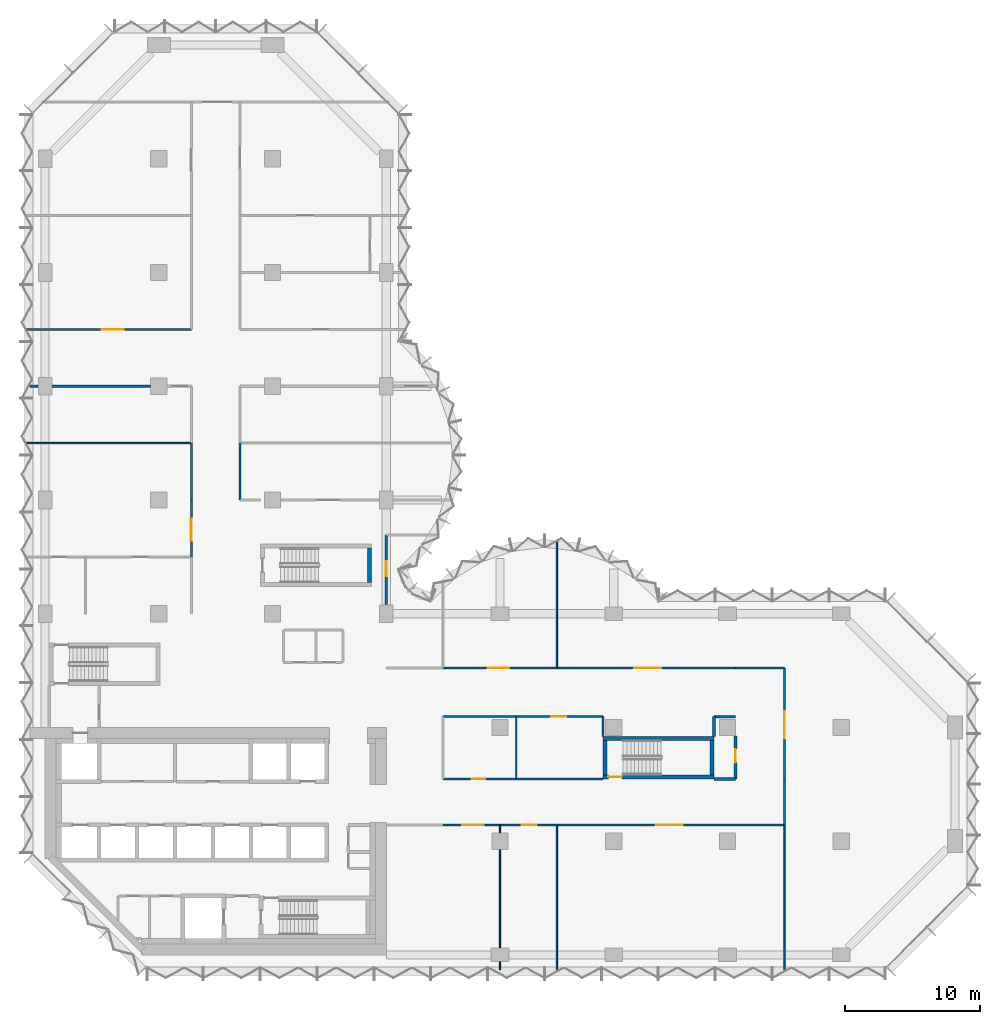
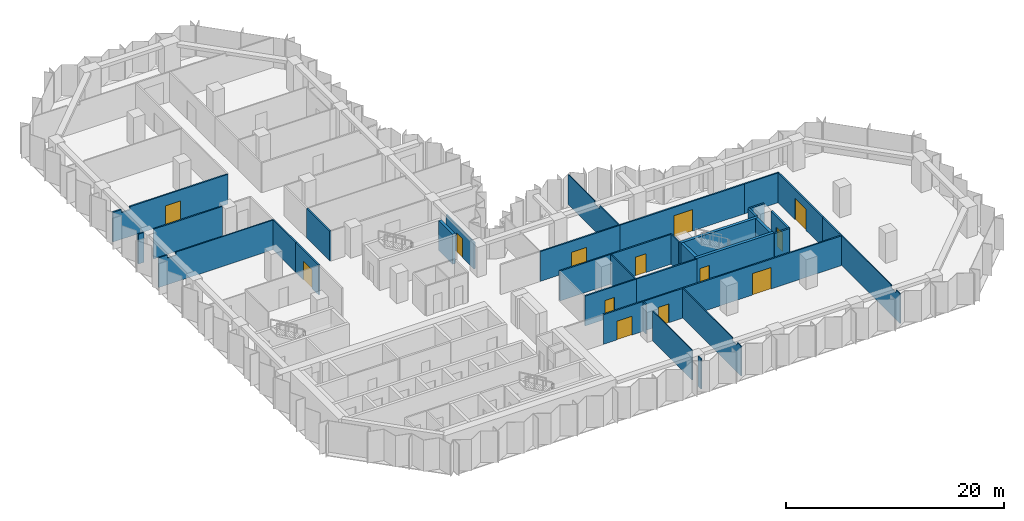
# One storey, part 9 of 13: 37 walls, 13 doors, 13 openings.
"""IFC4 building model written with IfcOpenShell, lengths in metres."""

from ifc_helpers import new_model, si_unit, direction, frame, frame_2d, origin, place, context, subcontext, project, spatial, polyline, rectangle, outline, extrude, material, layer, layer_set, type_object, element, fill, save


model = new_model("IFC4")

# Units and contexts
model_context = context("Model", 3, precision=1e-05, world=origin(), true_north=direction((0.0, 1.0)))
body_context = subcontext(model_context, "Body", "Model", "MODEL_VIEW")
ifc_project = project(units=[si_unit("LENGTHUNIT", "METRE"), si_unit("AREAUNIT", "SQUARE_METRE"), si_unit("VOLUMEUNIT", "CUBIC_METRE"), si_unit("PLANEANGLEUNIT", "RADIAN"), si_unit("MASSUNIT", "GRAM", prefix="KILO")], contexts=[model_context])

# Site, building, storey
site_placement = place(None, origin())
site = spatial("IfcSite", under=ifc_project, at=site_placement, CompositionType="ELEMENT")
building_placement = place(site_placement, origin())
building = spatial("IfcBuilding", under=site, at=building_placement, Name="Brevane Broadcast Tower", CompositionType="ELEMENT")
storey_placement = place(building_placement, frame((0.0, 0.0, 98.89990234375)))
storey = spatial("IfcBuildingStorey", under=building, at=storey_placement, Name="L23", CompositionType="ELEMENT", Elevation=98.89990234375)

# Wall
ifc_material_1 = material(Name="Concrete C60/75", Category="concrete")
ifc_layer_1 = layer(ifc_material_1, 0.300048828125)
ifc_layer_set_1 = layer_set([ifc_layer_1], Name="Core wall 300 mm C60/75")
wall_type_1 = type_object("IfcWallType", Name="Core wall 300 mm C60/75", PredefinedType="SHEAR", material=ifc_layer_set_1)
wall_1_placement = place(storey_placement, frame((23.949951171875, 27.5, 0.0), z_axis=(0.0, 0.0, 1.0), x_axis=(0.0, 1.0, 0.0)))
element("IfcWall", 1, at=wall_1_placement, inside=storey, type_object=wall_type_1, Name="L23 stair wall ST-3-E", PredefinedType="SHEAR", context=body_context, shape_type="SweptSolid", body=[
    extrude(rectangle(XDim=2.550048828125, YDim=0.300048828125, at=frame_2d((1.27490234375, 0.0))), origin(), (0.0, 0.0, 1.0), 3.35009765625),
])

# Wall, opening, door
wall_2_placement = place(storey_placement, frame((49.39990234375, 13.14990234375, 0.0), z_axis=(0.0, 0.0, 1.0), x_axis=(-1.0, 0.0, 0.0)))
wall_2 = element("IfcWall", 2, at=wall_2_placement, inside=storey, type_object=wall_type_1, Name="L23 stair wall ST-4-S", PredefinedType="SHEAR", context=body_context, shape_type="SweptSolid", body=[
    extrude(rectangle(XDim=8.199951171875, YDim=0.300048828125, at=frame_2d((4.10009765625, 0.0))), origin(), (0.0, 0.0, 1.0), 3.35009765625),
])
opening_1_placement = place(wall_2_placement, frame((6.800048828125, 0.0, 0.0)))
opening_1 = element("IfcOpeningElement", 3, at=opening_1_placement, cuts=wall_2, Name="Opening L23-K15", PredefinedType="OPENING", context=body_context, shape_type="SweptSolid", body=[
    extrude(rectangle(XDim=1.0, YDim=2.10009765625, at=frame_2d((0.5, 1.050048828125))), frame((0.0, 0.159912109375, 0.0), z_axis=(0.0, -1.0, 0.0), x_axis=(1.0, 0.0, 0.0)), (0.0, 0.0, 1.0), 0.320068359375),
])
ifc_material_2 = material(Name="Steel", Category="steel")
door_type_1 = type_object("IfcDoorType", Name="Stair door 1000 x 2100", OperationType="SINGLE_SWING_LEFT", PredefinedType="DOOR", material=ifc_material_2)
door_1_placement = place(opening_1_placement, origin())
door_1 = element("IfcDoor", 4, at=door_1_placement, inside=storey, type_object=door_type_1, Name="Door L23-K15", OperationType="SINGLE_SWING_LEFT", OverallHeight=2.10009765625, OverallWidth=1.0, PredefinedType="DOOR", context=body_context, shape_type="SweptSolid", body=[
    extrude(rectangle(XDim=1.0, YDim=2.10009765625, at=frame_2d((0.5, 1.050048828125))), frame((0.0, 0.02490234375, 0.0), z_axis=(0.0, -1.0, 0.0), x_axis=(1.0, 0.0, 0.0)), (0.0, 0.0, 1.0), 0.050048828125),
])
fill(opening_1, door_1)

# Walls
wall_3_placement = place(storey_placement, frame((41.199951171875, 16.0, 0.0), z_axis=(0.0, 0.0, 1.0), x_axis=(1.0, 0.0, 0.0)))
element("IfcWall", 5, at=wall_3_placement, inside=storey, type_object=wall_type_1, Name="L23 stair wall ST-4-N", PredefinedType="SHEAR", context=body_context, shape_type="SweptSolid", body=[
    extrude(rectangle(XDim=8.199951171875, YDim=0.300048828125, at=frame_2d((4.10009765625, 0.0))), origin(), (0.0, 0.0, 1.0), 3.35009765625),
])
for number, where, z_axis, x_axis, name in (
    (6, (41.35009765625, 13.300048828125, 0.0), (0.0, 0.0, 1.0), (0.0, 1.0, 0.0), "L23 stair wall ST-4-W"),
    (7, (49.25, 13.300048828125, 0.0), (0.0, 0.0, 1.0), (0.0, 1.0, 0.0), "L23 stair wall ST-4-E"),
):
    element("IfcWall", number, at=place(storey_placement, frame(where, z_axis=z_axis, x_axis=x_axis)), inside=storey, type_object=wall_type_1, Name=name, PredefinedType="SHEAR", context=body_context, shape_type="SweptSolid", body=[
        extrude(rectangle(XDim=2.550048828125, YDim=0.300048828125, at=frame_2d((1.27490234375, 0.0))), origin(), (0.0, 0.0, 1.0), 3.35009765625),
    ])
ifc_material_3 = material(Name="Gypsum board partition")
ifc_layer_2 = layer(ifc_material_3, 0.10009765625)
ifc_layer_set_2 = layer_set([ifc_layer_2], Name="PARTITION 100 STUD")
wall_type_2 = type_object("IfcWallType", Name="PARTITION 100 STUD", PredefinedType="PARTITIONING", material=ifc_layer_set_2)
wall_4_placement = place(storey_placement, frame((54.60009765625, -1.174072265625, 0.0), z_axis=(0.0, 0.0, 1.0), x_axis=(0.0, 1.0, 0.0)))
element("IfcWall", 8, at=wall_4_placement, inside=storey, type_object=wall_type_2, Name="Partition G06-015", PredefinedType="PARTITIONING", context=body_context, shape_type="SweptSolid", body=[
    extrude(outline(polyline([(0.0, 0.0), (10.774169921875, 0.0), (10.77392578125, 3.330078125), (1.6240234375, 3.330078125), (1.6220703125, 2.97998046875), (0.72607421875, 2.97998046875), (0.72412109375, 3.330078125), (0.073974609375, 3.330078125), (0.0, 3.330078125), (0.0, 0.0)])), frame((0.0, 0.050048828125, 0.0), z_axis=(0.0, -1.0, 0.0), x_axis=(1.0, 0.0, 0.0)), (0.0, 0.0, 1.0), 0.10009765625),
])
wall_5_placement = place(storey_placement, frame((34.800048828125, 17.60009765625, 0.0), z_axis=(0.0, 0.0, 1.0), x_axis=(0.0, -1.0, 0.0)))
element("IfcWall", 9, at=wall_5_placement, inside=storey, type_object=wall_type_2, Name="Partition G06-025", PredefinedType="PARTITIONING", context=body_context, shape_type="SweptSolid", body=[
    extrude(rectangle(XDim=4.60009765625, YDim=0.10009765625, at=frame_2d((2.300048828125, 0.0))), origin(), (0.0, 0.0, 1.0), 3.330078125),
])
wall_6_placement = place(storey_placement, frame((33.60009765625, 9.60009765625, 0.0), z_axis=(0.0, 0.0, 1.0), x_axis=(0.0, -1.0, 0.0)))
element("IfcWall", 10, at=wall_6_placement, inside=storey, type_object=wall_type_2, Name="Partition G06-026", PredefinedType="PARTITIONING", context=body_context, shape_type="SweptSolid", body=[
    extrude(rectangle(XDim=0.580078125, YDim=0.10009765625, at=frame_2d((0.2900390625, 0.0))), origin(), (0.0, 0.0, 1.0), 3.330078125),
])
wall_7_placement = place(storey_placement, frame((33.60009765625, 7.780029296875, 0.0), z_axis=(0.0, 0.0, 1.0), x_axis=(0.0, -1.0, 0.0)))
element("IfcWall", 11, at=wall_7_placement, inside=storey, type_object=wall_type_2, Name="Partition G06-027", PredefinedType="PARTITIONING", context=body_context, shape_type="SweptSolid", body=[
    extrude(rectangle(XDim=7.260009765625, YDim=0.10009765625, at=frame_2d((3.6298828125, 0.0))), origin(), (0.0, 0.0, 1.0), 3.330078125),
])
wall_8_placement = place(storey_placement, frame((33.60009765625, -0.52001953125, 0.0), z_axis=(0.0, 0.0, 1.0), x_axis=(0.0, -1.0, 0.0)))
element("IfcWall", 12, at=wall_8_placement, inside=storey, type_object=wall_type_2, Name="Partition G06-028", PredefinedType="PARTITIONING", context=body_context, shape_type="SweptSolid", body=[
    extrude(rectangle(XDim=0.580078125, YDim=0.10009765625, at=frame_2d((0.2900390625, 0.0))), origin(), (0.0, 0.0, 1.0), 3.330078125),
])
wall_9_placement = place(storey_placement, frame((37.800048828125, 9.60009765625, 0.0), z_axis=(0.0, 0.0, 1.0), x_axis=(0.0, -1.0, 0.0)))
element("IfcWall", 13, at=wall_9_placement, inside=storey, type_object=wall_type_2, Name="Partition G06-029", PredefinedType="PARTITIONING", context=body_context, shape_type="SweptSolid", body=[
    extrude(outline(polyline([(0.0, 0.0), (10.774169921875, 0.0), (10.77392578125, 3.330078125), (10.699951171875, 3.330078125), (10.050048828125, 3.330078125), (10.048095703125, 2.97998046875), (9.152099609375, 2.97998046875), (9.14990234375, 3.330078125), (0.0, 3.330078125), (0.0, 0.0)])), frame((0.0, 0.050048828125, 0.0), z_axis=(0.0, -1.0, 0.0), x_axis=(1.0, 0.0, 0.0)), (0.0, 0.0, 1.0), 0.10009765625),
])
wall_10_placement = place(storey_placement, frame((37.800048828125, 30.52587890625, 0.0), z_axis=(0.0, 0.0, 1.0), x_axis=(0.0, -1.0, 0.0)))
element("IfcWall", 14, at=wall_10_placement, inside=storey, type_object=wall_type_2, Name="Partition G06-030", PredefinedType="PARTITIONING", context=body_context, shape_type="SweptSolid", body=[
    extrude(outline(polyline([(0.0, 0.0), (9.325927734375, 0.0), (9.325927734375, 3.330078125), (5.77587890625, 3.330078125), (5.77392578125, 2.97998046875), (4.8779296875, 2.97998046875), (4.8759765625, 3.330078125), (0.283203125, 3.330078125), (0.0, 3.330078125), (0.0, 0.0)])), frame((0.0, 0.050048828125, 0.0), z_axis=(0.0, -1.0, 0.0), x_axis=(1.0, 0.0, 0.0)), (0.0, 0.0, 1.0), 0.10009765625),
])
ifc_layer_3 = layer(ifc_material_3, 0.125)
ifc_layer_set_3 = layer_set([ifc_layer_3], Name="PARTITION 125 ACOUSTIC")
wall_type_3 = type_object("IfcWallType", Name="PARTITION 125 ACOUSTIC", PredefinedType="PARTITIONING", material=ifc_layer_set_3)
wall_11_placement = place(storey_placement, frame((-1.364990234375, 37.800048828125, 0.0), z_axis=(0.0, 0.0, 1.0), x_axis=(1.0, 0.0, 0.0)))
element("IfcWall", 15, at=wall_11_placement, inside=storey, type_object=wall_type_3, Name="Partition G06-054", PredefinedType="PARTITIONING", context=body_context, shape_type="SweptSolid", body=[
    extrude(outline(polyline([(0.0, 0.0), (12.1650390625, 0.0), (12.1650390625, 3.330078125), (1.81494140625, 3.330078125), (1.81298828125, 2.97998046875), (0.9169921875, 2.97998046875), (0.9150390625, 3.330078125), (0.264892578125, 3.330078125), (0.0, 3.330078125), (0.0, 0.0)])), frame((0.0, 0.0625, 0.0), z_axis=(0.0, -1.0, 0.0), x_axis=(1.0, 0.0, 0.0)), (0.0, 0.0, 1.0), 0.125),
])

# Wall, opening, door
ifc_layer_4 = layer(ifc_material_3, 0.14990234375)
ifc_layer_set_4 = layer_set([ifc_layer_4], Name="PARTITION 150 EI 60")
wall_type_4 = type_object("IfcWallType", Name="PARTITION 150 EI 60", PredefinedType="PARTITIONING", material=ifc_layer_set_4)
wall_12_placement = place(storey_placement, frame((25.199951171875, 31.0, 0.0), z_axis=(0.0, 0.0, 1.0), x_axis=(0.0, -1.0, 0.0)))
wall_12 = element("IfcWall", 16, at=wall_12_placement, inside=storey, type_object=wall_type_4, Name="Partition G06-005", PredefinedType="PARTITIONING", context=body_context, shape_type="SweptSolid", body=[
    extrude(outline(polyline([(0.0, 0.0), (5.1298828125, 0.0), (5.1298828125, 2.97998046875), (0.0, 2.97998046875), (0.0, 0.0)])), frame((0.0, 0.074951171875, 0.0), z_axis=(0.0, -1.0, 0.0), x_axis=(1.0, 0.0, 0.0)), (0.0, 0.0, 1.0), 0.14990234375),
])
opening_2_placement = place(wall_12_placement, frame((1.929931640625, 0.0, 0.0)))
opening_2 = element("IfcOpeningElement", 17, at=opening_2_placement, cuts=wall_12, Name="Opening D13-001", PredefinedType="OPENING", context=body_context, shape_type="SweptSolid", body=[
    extrude(rectangle(XDim=1.10009765625, YDim=2.10009765625, at=frame_2d((0.550048828125, 1.050048828125))), frame((0.0, 0.0849609375, 0.0), z_axis=(0.0, -1.0, 0.0), x_axis=(1.0, 0.0, 0.0)), (0.0, 0.0, 1.0), 0.169921875),
])
ifc_material_4 = material(Name="Fire-rated timber door leaf", Category="wood")
door_type_2 = type_object("IfcDoorType", Name="DOOR SINGLE 1100 FD30S", OperationType="SINGLE_SWING_LEFT", PredefinedType="DOOR", material=ifc_material_4)
door_2_placement = place(opening_2_placement, origin())
door_2 = element("IfcDoor", 18, at=door_2_placement, inside=storey, type_object=door_type_2, Name="Door D13-001", OperationType="SINGLE_SWING_RIGHT", OverallHeight=2.10009765625, OverallWidth=1.10009765625, PredefinedType="DOOR", context=body_context, shape_type="SweptSolid", body=[
    extrude(rectangle(XDim=1.10009765625, YDim=2.10009765625, at=frame_2d((0.550048828125, 1.050048828125))), frame((0.0, 0.02490234375, 0.0), z_axis=(0.0, -1.0, 0.0), x_axis=(1.0, 0.0, 0.0)), (0.0, 0.0, 1.0), 0.050048828125),
])
fill(opening_2, door_2)

# Wall
wall_13_placement = place(storey_placement, frame((54.60009765625, 13.0, 0.0), z_axis=(0.0, 0.0, 1.0), x_axis=(0.0, -1.0, 0.0)))
element("IfcWall", 19, at=wall_13_placement, inside=storey, type_object=wall_type_4, Name="Partition G06-007", PredefinedType="PARTITIONING", context=body_context, shape_type="SweptSolid", body=[
    extrude(rectangle(XDim=3.39990234375, YDim=0.14990234375, at=frame_2d((1.699951171875, 0.0))), origin(), (0.0, 0.0, 1.0), 3.330078125),
])

# Wall, opening, door
wall_14_placement = place(storey_placement, frame((29.39990234375, 13.0, 0.0), z_axis=(0.0, 0.0, 1.0), x_axis=(1.0, 0.0, 0.0)))
wall_14 = element("IfcWall", 20, at=wall_14_placement, inside=storey, type_object=wall_type_4, Name="Partition G06-008", PredefinedType="PARTITIONING", context=body_context, shape_type="SweptSolid", body=[
    extrude(rectangle(XDim=5.400146484375, YDim=0.14990234375, at=frame_2d((2.7001953125, 0.0))), origin(), (0.0, 0.0, 1.0), 3.330078125),
])
opening_3_placement = place(wall_14_placement, frame((2.10009765625, 0.0, 0.0)))
opening_3 = element("IfcOpeningElement", 21, at=opening_3_placement, cuts=wall_14, Name="Opening D13-003", PredefinedType="OPENING", context=body_context, shape_type="SweptSolid", body=[
    extrude(rectangle(XDim=1.0, YDim=2.10009765625, at=frame_2d((0.5, 1.050048828125))), frame((0.0, 0.0849609375, 0.0), z_axis=(0.0, -1.0, 0.0), x_axis=(1.0, 0.0, 0.0)), (0.0, 0.0, 1.0), 0.169921875),
])
door_type_3 = type_object("IfcDoorType", Name="DOOR SINGLE 1000 FD30S", OperationType="SINGLE_SWING_LEFT", PredefinedType="DOOR", material=ifc_material_4)
door_3_placement = place(opening_3_placement, origin())
door_3 = element("IfcDoor", 22, at=door_3_placement, inside=storey, type_object=door_type_3, Name="Door D13-003", OperationType="SINGLE_SWING_LEFT", OverallHeight=2.10009765625, OverallWidth=1.0, PredefinedType="DOOR", context=body_context, shape_type="SweptSolid", body=[
    extrude(rectangle(XDim=1.0, YDim=2.10009765625, at=frame_2d((0.5, 1.050048828125))), frame((0.0, 0.02490234375, 0.0), z_axis=(0.0, -1.0, 0.0), x_axis=(1.0, 0.0, 0.0)), (0.0, 0.0, 1.0), 0.050048828125),
])
fill(opening_3, door_3)

# Wall
wall_15_placement = place(storey_placement, frame((34.800048828125, 13.0, 0.0), z_axis=(0.0, 0.0, 1.0), x_axis=(1.0, 0.0, 0.0)))
element("IfcWall", 23, at=wall_15_placement, inside=storey, type_object=wall_type_4, Name="Partition G06-009", PredefinedType="PARTITIONING", context=body_context, shape_type="SweptSolid", body=[
    extrude(rectangle(XDim=6.39990234375, YDim=0.14990234375, at=frame_2d((3.199951171875, 0.0))), origin(), (0.0, 0.0, 1.0), 3.330078125),
])

# Wall, opening, door
wall_16_placement = place(storey_placement, frame((33.60009765625, 9.60009765625, 0.0), z_axis=(0.0, 0.0, 1.0), x_axis=(-1.0, 0.0, 0.0)))
wall_16 = element("IfcWall", 24, at=wall_16_placement, inside=storey, type_object=wall_type_4, Name="Partition G06-011", PredefinedType="PARTITIONING", context=body_context, shape_type="SweptSolid", body=[
    extrude(rectangle(XDim=4.2001953125, YDim=0.14990234375, at=frame_2d((2.10009765625, 0.0))), origin(), (0.0, 0.0, 1.0), 3.330078125),
])
opening_4_placement = place(wall_16_placement, frame((1.199951171875, 0.0, 0.0)))
opening_4 = element("IfcOpeningElement", 25, at=opening_4_placement, cuts=wall_16, Name="Opening D13-006", PredefinedType="OPENING", context=body_context, shape_type="SweptSolid", body=[
    extrude(rectangle(XDim=1.60009765625, YDim=2.10009765625, at=frame_2d((0.800048828125, 1.050048828125))), frame((0.0, 0.0849609375, 0.0), z_axis=(0.0, -1.0, 0.0), x_axis=(1.0, 0.0, 0.0)), (0.0, 0.0, 1.0), 0.169921875),
])
door_type_4 = type_object("IfcDoorType", Name="DOOR DOUBLE 1600 FD30S", OperationType="DOUBLE_DOOR_SINGLE_SWING", PredefinedType="DOOR", material=ifc_material_4)
door_4_placement = place(opening_4_placement, origin())
door_4 = element("IfcDoor", 26, at=door_4_placement, inside=storey, type_object=door_type_4, Name="Door D13-006", OperationType="DOUBLE_DOOR_SINGLE_SWING", OverallHeight=2.10009765625, OverallWidth=1.60009765625, PredefinedType="DOOR", context=body_context, shape_type="SweptSolid", body=[
    extrude(rectangle(XDim=1.60009765625, YDim=2.10009765625, at=frame_2d((0.800048828125, 1.050048828125))), frame((0.0, 0.02490234375, 0.0), z_axis=(0.0, -1.0, 0.0), x_axis=(1.0, 0.0, 0.0)), (0.0, 0.0, 1.0), 0.050048828125),
])
fill(opening_4, door_4)

wall_17_placement = place(storey_placement, frame((37.800048828125, 9.60009765625, 0.0), z_axis=(0.0, 0.0, 1.0), x_axis=(-1.0, 0.0, 0.0)))
wall_17 = element("IfcWall", 27, at=wall_17_placement, inside=storey, type_object=wall_type_4, Name="Partition G06-012", PredefinedType="PARTITIONING", context=body_context, shape_type="SweptSolid", body=[
    extrude(rectangle(XDim=4.199951171875, YDim=0.14990234375, at=frame_2d((2.10009765625, 0.0))), origin(), (0.0, 0.0, 1.0), 3.330078125),
])
opening_5_placement = place(wall_17_placement, frame((1.5, 0.0, 0.0)))
opening_5 = element("IfcOpeningElement", 28, at=opening_5_placement, cuts=wall_17, Name="Opening D13-007", PredefinedType="OPENING", context=body_context, shape_type="SweptSolid", body=[
    extrude(rectangle(XDim=1.10009765625, YDim=2.10009765625, at=frame_2d((0.550048828125, 1.050048828125))), frame((0.0, 0.0849609375, 0.0), z_axis=(0.0, -1.0, 0.0), x_axis=(1.0, 0.0, 0.0)), (0.0, 0.0, 1.0), 0.169921875),
])
door_5_placement = place(opening_5_placement, origin())
door_5 = element("IfcDoor", 29, at=door_5_placement, inside=storey, type_object=door_type_2, Name="Door D13-007", OperationType="SINGLE_SWING_LEFT", OverallHeight=2.10009765625, OverallWidth=1.10009765625, PredefinedType="DOOR", context=body_context, shape_type="SweptSolid", body=[
    extrude(rectangle(XDim=1.10009765625, YDim=2.10009765625, at=frame_2d((0.550048828125, 1.050048828125))), frame((0.0, 0.02490234375, 0.0), z_axis=(0.0, -1.0, 0.0), x_axis=(1.0, 0.0, 0.0)), (0.0, 0.0, 1.0), 0.050048828125),
])
fill(opening_5, door_5)

wall_18_placement = place(storey_placement, frame((54.60009765625, 9.60009765625, 0.0), z_axis=(0.0, 0.0, 1.0), x_axis=(-1.0, 0.0, 0.0)))
wall_18 = element("IfcWall", 30, at=wall_18_placement, inside=storey, type_object=wall_type_4, Name="Partition G06-013", PredefinedType="PARTITIONING", context=body_context, shape_type="SweptSolid", body=[
    extrude(rectangle(XDim=16.800048828125, YDim=0.14990234375, at=frame_2d((8.39990234375, 0.0))), origin(), (0.0, 0.0, 1.0), 3.330078125),
])
opening_6_placement = place(wall_18_placement, frame((7.5, 0.0, 0.0)))
opening_6 = element("IfcOpeningElement", 31, at=opening_6_placement, cuts=wall_18, Name="Opening D13-008", PredefinedType="OPENING", context=body_context, shape_type="SweptSolid", body=[
    extrude(rectangle(XDim=2.0, YDim=2.39990234375, at=frame_2d((1.0, 1.199951171875))), frame((0.0, 0.0849609375, 0.0), z_axis=(0.0, -1.0, 0.0), x_axis=(1.0, 0.0, 0.0)), (0.0, 0.0, 1.0), 0.169921875),
])
door_type_5 = type_object("IfcDoorType", Name="DOOR DOUBLE 2000 FD30S", OperationType="DOUBLE_DOOR_SINGLE_SWING", PredefinedType="DOOR", material=ifc_material_4)
door_6_placement = place(opening_6_placement, origin())
door_6 = element("IfcDoor", 32, at=door_6_placement, inside=storey, type_object=door_type_5, Name="Door D13-008", OperationType="DOUBLE_DOOR_SINGLE_SWING", OverallHeight=2.39990234375, OverallWidth=2.0, PredefinedType="DOOR", context=body_context, shape_type="SweptSolid", body=[
    extrude(rectangle(XDim=2.0, YDim=2.39990234375, at=frame_2d((1.0, 1.199951171875))), frame((0.0, 0.02490234375, 0.0), z_axis=(0.0, -1.0, 0.0), x_axis=(1.0, 0.0, 0.0)), (0.0, 0.0, 1.0), 0.050048828125),
])
fill(opening_6, door_6)

wall_19_placement = place(storey_placement, frame((54.60009765625, 21.199951171875, 0.0), z_axis=(0.0, 0.0, 1.0), x_axis=(0.0, -1.0, 0.0)))
wall_19 = element("IfcWall", 33, at=wall_19_placement, inside=storey, type_object=wall_type_4, Name="Partition G06-014", PredefinedType="PARTITIONING", context=body_context, shape_type="SweptSolid", body=[
    extrude(rectangle(XDim=8.199951171875, YDim=0.14990234375, at=frame_2d((4.10009765625, 0.0))), origin(), (0.0, 0.0, 1.0), 3.330078125),
])
opening_7_placement = place(wall_19_placement, frame((3.199951171875, 0.0, 0.0)))
opening_7 = element("IfcOpeningElement", 34, at=opening_7_placement, cuts=wall_19, Name="Opening D13-002", PredefinedType="OPENING", context=body_context, shape_type="SweptSolid", body=[
    extrude(rectangle(XDim=2.0, YDim=2.39990234375, at=frame_2d((1.0, 1.199951171875))), frame((0.0, 0.0849609375, 0.0), z_axis=(0.0, -1.0, 0.0), x_axis=(1.0, 0.0, 0.0)), (0.0, 0.0, 1.0), 0.169921875),
])
door_7_placement = place(opening_7_placement, origin())
door_7 = element("IfcDoor", 35, at=door_7_placement, inside=storey, type_object=door_type_5, Name="Door D13-002", OperationType="DOUBLE_DOOR_SINGLE_SWING", OverallHeight=2.39990234375, OverallWidth=2.0, PredefinedType="DOOR", context=body_context, shape_type="SweptSolid", body=[
    extrude(rectangle(XDim=2.0, YDim=2.39990234375, at=frame_2d((1.0, 1.199951171875))), frame((0.0, 0.02490234375, 0.0), z_axis=(0.0, -1.0, 0.0), x_axis=(1.0, 0.0, 0.0)), (0.0, 0.0, 1.0), 0.050048828125),
])
fill(opening_7, door_7)

# Walls
wall_20_placement = place(storey_placement, frame((34.800048828125, 17.60009765625, 0.0), z_axis=(0.0, 0.0, 1.0), x_axis=(-1.0, 0.0, 0.0)))
element("IfcWall", 36, at=wall_20_placement, inside=storey, type_object=wall_type_4, Name="Partition G06-016", PredefinedType="PARTITIONING", context=body_context, shape_type="SweptSolid", body=[
    extrude(rectangle(XDim=5.400146484375, YDim=0.14990234375, at=frame_2d((2.7001953125, 0.0))), origin(), (0.0, 0.0, 1.0), 3.330078125),
])
wall_21_placement = place(storey_placement, frame((41.199951171875, 16.14990234375, 0.0), z_axis=(0.0, 0.0, 1.0), x_axis=(0.0, 1.0, 0.0)))
element("IfcWall", 37, at=wall_21_placement, inside=storey, type_object=wall_type_4, Name="Partition G06-017", PredefinedType="PARTITIONING", context=body_context, shape_type="SweptSolid", body=[
    extrude(rectangle(XDim=1.4501953125, YDim=0.14990234375, at=frame_2d((0.72509765625, 0.0))), origin(), (0.0, 0.0, 1.0), 3.330078125),
])

# Wall, opening, door
wall_22_placement = place(storey_placement, frame((41.199951171875, 17.60009765625, 0.0), z_axis=(0.0, 0.0, 1.0), x_axis=(-1.0, 0.0, 0.0)))
wall_22 = element("IfcWall", 38, at=wall_22_placement, inside=storey, type_object=wall_type_4, Name="Partition G06-018", PredefinedType="PARTITIONING", context=body_context, shape_type="SweptSolid", body=[
    extrude(rectangle(XDim=6.39990234375, YDim=0.14990234375, at=frame_2d((3.199951171875, 0.0))), origin(), (0.0, 0.0, 1.0), 3.330078125),
])
opening_8_placement = place(wall_22_placement, frame((2.699951171875, 0.0, 0.0)))
opening_8 = element("IfcOpeningElement", 39, at=opening_8_placement, cuts=wall_22, Name="Opening D13-004", PredefinedType="OPENING", context=body_context, shape_type="SweptSolid", body=[
    extrude(rectangle(XDim=1.10009765625, YDim=2.10009765625, at=frame_2d((0.550048828125, 1.050048828125))), frame((0.0, 0.0849609375, 0.0), z_axis=(0.0, -1.0, 0.0), x_axis=(1.0, 0.0, 0.0)), (0.0, 0.0, 1.0), 0.169921875),
])
door_8_placement = place(opening_8_placement, origin())
door_8 = element("IfcDoor", 40, at=door_8_placement, inside=storey, type_object=door_type_2, Name="Door D13-004", OperationType="SINGLE_SWING_LEFT", OverallHeight=2.10009765625, OverallWidth=1.10009765625, PredefinedType="DOOR", context=body_context, shape_type="SweptSolid", body=[
    extrude(rectangle(XDim=1.10009765625, YDim=2.10009765625, at=frame_2d((0.550048828125, 1.050048828125))), frame((0.0, 0.02490234375, 0.0), z_axis=(0.0, -1.0, 0.0), x_axis=(1.0, 0.0, 0.0)), (0.0, 0.0, 1.0), 0.050048828125),
])
fill(opening_8, door_8)

wall_23_placement = place(storey_placement, frame((29.39990234375, 21.199951171875, 0.0), z_axis=(0.0, 0.0, 1.0), x_axis=(1.0, 0.0, 0.0)))
wall_23 = element("IfcWall", 41, at=wall_23_placement, inside=storey, type_object=wall_type_4, Name="Partition G06-021", PredefinedType="PARTITIONING", context=body_context, shape_type="SweptSolid", body=[
    extrude(rectangle(XDim=8.400146484375, YDim=0.14990234375, at=frame_2d((4.2001953125, 0.0))), origin(), (0.0, 0.0, 1.0), 3.330078125),
])
opening_9_placement = place(wall_23_placement, frame((3.300048828125, 0.0, 0.0)))
opening_9 = element("IfcOpeningElement", 42, at=opening_9_placement, cuts=wall_23, Name="Opening D13-009", PredefinedType="OPENING", context=body_context, shape_type="SweptSolid", body=[
    extrude(rectangle(XDim=1.60009765625, YDim=2.10009765625, at=frame_2d((0.800048828125, 1.050048828125))), frame((0.0, 0.0849609375, 0.0), z_axis=(0.0, -1.0, 0.0), x_axis=(1.0, 0.0, 0.0)), (0.0, 0.0, 1.0), 0.169921875),
])
door_9_placement = place(opening_9_placement, origin())
door_9 = element("IfcDoor", 43, at=door_9_placement, inside=storey, type_object=door_type_4, Name="Door D13-009", OperationType="DOUBLE_DOOR_SINGLE_SWING", OverallHeight=2.10009765625, OverallWidth=1.60009765625, PredefinedType="DOOR", context=body_context, shape_type="SweptSolid", body=[
    extrude(rectangle(XDim=1.60009765625, YDim=2.10009765625, at=frame_2d((0.800048828125, 1.050048828125))), frame((0.0, 0.02490234375, 0.0), z_axis=(0.0, -1.0, 0.0), x_axis=(1.0, 0.0, 0.0)), (0.0, 0.0, 1.0), 0.050048828125),
])
fill(opening_9, door_9)

wall_24_placement = place(storey_placement, frame((37.800048828125, 21.199951171875, 0.0), z_axis=(0.0, 0.0, 1.0), x_axis=(1.0, 0.0, 0.0)))
wall_24 = element("IfcWall", 44, at=wall_24_placement, inside=storey, type_object=wall_type_4, Name="Partition G06-022", PredefinedType="PARTITIONING", context=body_context, shape_type="SweptSolid", body=[
    extrude(rectangle(XDim=13.199951171875, YDim=0.14990234375, at=frame_2d((6.60009765625, 0.0))), origin(), (0.0, 0.0, 1.0), 3.330078125),
])
opening_10_placement = place(wall_24_placement, frame((5.699951171875, 0.0, 0.0)))
opening_10 = element("IfcOpeningElement", 45, at=opening_10_placement, cuts=wall_24, Name="Opening D13-010", PredefinedType="OPENING", context=body_context, shape_type="SweptSolid", body=[
    extrude(rectangle(XDim=2.0, YDim=2.39990234375, at=frame_2d((1.0, 1.199951171875))), frame((0.0, 0.0849609375, 0.0), z_axis=(0.0, -1.0, 0.0), x_axis=(1.0, 0.0, 0.0)), (0.0, 0.0, 1.0), 0.169921875),
])
door_10_placement = place(opening_10_placement, origin())
door_10 = element("IfcDoor", 46, at=door_10_placement, inside=storey, type_object=door_type_5, Name="Door D13-010", OperationType="DOUBLE_DOOR_SINGLE_SWING", OverallHeight=2.39990234375, OverallWidth=2.0, PredefinedType="DOOR", context=body_context, shape_type="SweptSolid", body=[
    extrude(rectangle(XDim=2.0, YDim=2.39990234375, at=frame_2d((1.0, 1.199951171875))), frame((0.0, 0.02490234375, 0.0), z_axis=(0.0, -1.0, 0.0), x_axis=(1.0, 0.0, 0.0)), (0.0, 0.0, 1.0), 0.050048828125),
])
fill(opening_10, door_10)

# Wall
wall_25_placement = place(storey_placement, frame((51.0, 21.199951171875, 0.0), z_axis=(0.0, 0.0, 1.0), x_axis=(1.0, 0.0, 0.0)))
element("IfcWall", 47, at=wall_25_placement, inside=storey, type_object=wall_type_4, Name="Partition G06-024", PredefinedType="PARTITIONING", context=body_context, shape_type="SweptSolid", body=[
    extrude(rectangle(XDim=3.60009765625, YDim=0.14990234375, at=frame_2d((1.800048828125, 0.0))), origin(), (0.0, 0.0, 1.0), 3.330078125),
])

# Wall, opening, door
wall_26_placement = place(storey_placement, frame((10.800048828125, 29.39990234375, 0.0), z_axis=(0.0, 0.0, 1.0), x_axis=(0.0, 1.0, 0.0)))
wall_26 = element("IfcWall", 48, at=wall_26_placement, inside=storey, type_object=wall_type_4, Name="Partition G06-031", PredefinedType="PARTITIONING", context=body_context, shape_type="SweptSolid", body=[
    extrude(rectangle(XDim=4.2001953125, YDim=0.14990234375, at=frame_2d((2.10009765625, 0.0))), origin(), (0.0, 0.0, 1.0), 3.330078125),
])
opening_11_placement = place(wall_26_placement, frame((1.199951171875, 0.0, 0.0)))
opening_11 = element("IfcOpeningElement", 49, at=opening_11_placement, cuts=wall_26, Name="Opening D13-012", PredefinedType="OPENING", context=body_context, shape_type="SweptSolid", body=[
    extrude(rectangle(XDim=1.60009765625, YDim=2.10009765625, at=frame_2d((0.800048828125, 1.050048828125))), frame((0.0, 0.0849609375, 0.0), z_axis=(0.0, -1.0, 0.0), x_axis=(1.0, 0.0, 0.0)), (0.0, 0.0, 1.0), 0.169921875),
])
door_11_placement = place(opening_11_placement, origin())
door_11 = element("IfcDoor", 50, at=door_11_placement, inside=storey, type_object=door_type_4, Name="Door D13-012", OperationType="DOUBLE_DOOR_SINGLE_SWING", OverallHeight=2.10009765625, OverallWidth=1.60009765625, PredefinedType="DOOR", context=body_context, shape_type="SweptSolid", body=[
    extrude(rectangle(XDim=1.60009765625, YDim=2.10009765625, at=frame_2d((0.800048828125, 1.050048828125))), frame((0.0, 0.02490234375, 0.0), z_axis=(0.0, -1.0, 0.0), x_axis=(1.0, 0.0, 0.0)), (0.0, 0.0, 1.0), 0.050048828125),
])
fill(opening_11, door_11)

# Walls
for number, where, z_axis, x_axis, name in (
    (51, (10.800048828125, 33.60009765625, 0.0), (0.0, 0.0, 1.0), (0.0, 1.0, 0.0), "Partition G06-037"),
    (52, (14.39990234375, 37.800048828125, 0.0), (0.0, 0.0, 1.0), (0.0, -1.0, 0.0), "Partition G06-041"),
):
    element("IfcWall", number, at=place(storey_placement, frame(where, z_axis=z_axis, x_axis=x_axis)), inside=storey, type_object=wall_type_4, Name=name, PredefinedType="PARTITIONING", context=body_context, shape_type="SweptSolid", body=[
        extrude(rectangle(XDim=4.199951171875, YDim=0.14990234375, at=frame_2d((2.10009765625, 0.0))), origin(), (0.0, 0.0, 1.0), 3.330078125),
    ])
wall_27_placement = place(storey_placement, frame((7.780029296875, 42.0, 0.0), z_axis=(0.0, 0.0, 1.0), x_axis=(-1.0, 0.0, 0.0)))
element("IfcWall", 53, at=wall_27_placement, inside=storey, type_object=wall_type_4, Name="Partition G06-049", PredefinedType="PARTITIONING", context=body_context, shape_type="SweptSolid", body=[
    extrude(rectangle(XDim=7.260009765625, YDim=0.14990234375, at=frame_2d((3.6298828125, 0.0))), origin(), (0.0, 0.0, 1.0), 3.330078125),
])
wall_28_placement = place(storey_placement, frame((-0.52001953125, 42.0, 0.0), z_axis=(0.0, 0.0, 1.0), x_axis=(-1.0, 0.0, 0.0)))
element("IfcWall", 54, at=wall_28_placement, inside=storey, type_object=wall_type_4, Name="Partition G06-050", PredefinedType="PARTITIONING", context=body_context, shape_type="SweptSolid", body=[
    extrude(rectangle(XDim=0.580078125, YDim=0.14990234375, at=frame_2d((0.2900390625, 0.0))), origin(), (0.0, 0.0, 1.0), 3.330078125),
])

# Wall, opening, door
wall_29_placement = place(storey_placement, frame((-1.364990234375, 46.199951171875, 0.0), z_axis=(0.0, 0.0, 1.0), x_axis=(1.0, 0.0, 0.0)))
wall_29 = element("IfcWall", 55, at=wall_29_placement, inside=storey, type_object=wall_type_4, Name="Partition G06-051", PredefinedType="PARTITIONING", context=body_context, shape_type="SweptSolid", body=[
    extrude(outline(polyline([(0.0, 0.0), (12.1650390625, 0.0), (12.1650390625, 3.330078125), (1.81494140625, 3.330078125), (1.81298828125, 2.97998046875), (0.9169921875, 2.97998046875), (0.9150390625, 3.330078125), (0.264892578125, 3.330078125), (0.0, 3.330078125), (0.0, 0.0)])), frame((0.0, 0.074951171875, 0.0), z_axis=(0.0, -1.0, 0.0), x_axis=(1.0, 0.0, 0.0)), (0.0, 0.0, 1.0), 0.14990234375),
])
opening_12_placement = place(wall_29_placement, frame((5.56494140625, 0.0, 0.0)))
opening_12 = element("IfcOpeningElement", 56, at=opening_12_placement, cuts=wall_29, Name="Opening D13-016", PredefinedType="OPENING", context=body_context, shape_type="SweptSolid", body=[
    extrude(rectangle(XDim=1.60009765625, YDim=2.10009765625, at=frame_2d((0.800048828125, 1.050048828125))), frame((0.0, 0.0849609375, 0.0), z_axis=(0.0, -1.0, 0.0), x_axis=(1.0, 0.0, 0.0)), (0.0, 0.0, 1.0), 0.169921875),
])
door_12_placement = place(opening_12_placement, origin())
door_12 = element("IfcDoor", 57, at=door_12_placement, inside=storey, type_object=door_type_4, Name="Door D13-016", OperationType="DOUBLE_DOOR_SINGLE_SWING", OverallHeight=2.10009765625, OverallWidth=1.60009765625, PredefinedType="DOOR", context=body_context, shape_type="SweptSolid", body=[
    extrude(rectangle(XDim=1.60009765625, YDim=2.10009765625, at=frame_2d((0.800048828125, 1.050048828125))), frame((0.0, 0.02490234375, 0.0), z_axis=(0.0, -1.0, 0.0), x_axis=(1.0, 0.0, 0.0)), (0.0, 0.0, 1.0), 0.050048828125),
])
fill(opening_12, door_12)

# Walls
ifc_layer_5 = layer(ifc_material_3, 0.199951171875)
ifc_layer_set_5 = layer_set([ifc_layer_5], Name="PARTITION 200 EI 120")
wall_type_5 = type_object("IfcWallType", Name="PARTITION 200 EI 120", PredefinedType="PARTITIONING", material=ifc_layer_set_5)
for number, where, z_axis, x_axis, name in (
    (58, (49.39990234375, 13.0, 0.0), (0.0, 0.0, 1.0), (1.0, 0.0, 0.0), "Partition G06-010"),
    (59, (51.0, 17.60009765625, 0.0), (0.0, 0.0, 1.0), (-1.0, 0.0, 0.0), "Partition G06-019"),
):
    element("IfcWall", number, at=place(storey_placement, frame(where, z_axis=z_axis, x_axis=x_axis)), inside=storey, type_object=wall_type_5, Name=name, PredefinedType="PARTITIONING", context=body_context, shape_type="SweptSolid", body=[
        extrude(rectangle(XDim=1.60009765625, YDim=0.199951171875, at=frame_2d((0.800048828125, 0.0))), origin(), (0.0, 0.0, 1.0), 3.330078125),
    ])
wall_30_placement = place(storey_placement, frame((49.39990234375, 17.60009765625, 0.0), z_axis=(0.0, 0.0, 1.0), x_axis=(0.0, -1.0, 0.0)))
element("IfcWall", 60, at=wall_30_placement, inside=storey, type_object=wall_type_5, Name="Partition G06-020", PredefinedType="PARTITIONING", context=body_context, shape_type="SweptSolid", body=[
    extrude(rectangle(XDim=1.4501953125, YDim=0.199951171875, at=frame_2d((0.72509765625, 0.0))), origin(), (0.0, 0.0, 1.0), 3.330078125),
])

# Wall, opening, door
wall_31_placement = place(storey_placement, frame((51.0, 13.0, 0.0), z_axis=(0.0, 0.0, 1.0), x_axis=(0.0, 1.0, 0.0)))
wall_31 = element("IfcWall", 61, at=wall_31_placement, inside=storey, type_object=wall_type_5, Name="Partition G06-023", PredefinedType="PARTITIONING", context=body_context, shape_type="SweptSolid", body=[
    extrude(rectangle(XDim=3.179931640625, YDim=0.199951171875, at=frame_2d((1.58984375, 0.0))), origin(), (0.0, 0.0, 1.0), 3.330078125),
])
opening_13_placement = place(wall_31_placement, frame((1.199951171875, 0.0, 0.0)))
opening_13 = element("IfcOpeningElement", 62, at=opening_13_placement, cuts=wall_31, Name="Opening D13-005", PredefinedType="OPENING", context=body_context, shape_type="SweptSolid", body=[
    extrude(rectangle(XDim=1.0, YDim=2.10009765625, at=frame_2d((0.5, 1.050048828125))), frame((0.0, 0.10986328125, 0.0), z_axis=(0.0, -1.0, 0.0), x_axis=(1.0, 0.0, 0.0)), (0.0, 0.0, 1.0), 0.219970703125),
])
door_type_6 = type_object("IfcDoorType", Name="DOOR SINGLE 1000 FD60", OperationType="SINGLE_SWING_LEFT", PredefinedType="DOOR", material=ifc_material_4)
door_13_placement = place(opening_13_placement, origin())
door_13 = element("IfcDoor", 63, at=door_13_placement, inside=storey, type_object=door_type_6, Name="Door D13-005", OperationType="SINGLE_SWING_LEFT", OverallHeight=2.10009765625, OverallWidth=1.0, PredefinedType="DOOR", context=body_context, shape_type="SweptSolid", body=[
    extrude(rectangle(XDim=1.0, YDim=2.10009765625, at=frame_2d((0.5, 1.050048828125))), frame((0.0, 0.02490234375, 0.0), z_axis=(0.0, -1.0, 0.0), x_axis=(1.0, 0.0, 0.0)), (0.0, 0.0, 1.0), 0.050048828125),
])
fill(opening_13, door_13)

save(model, "model.ifc")
